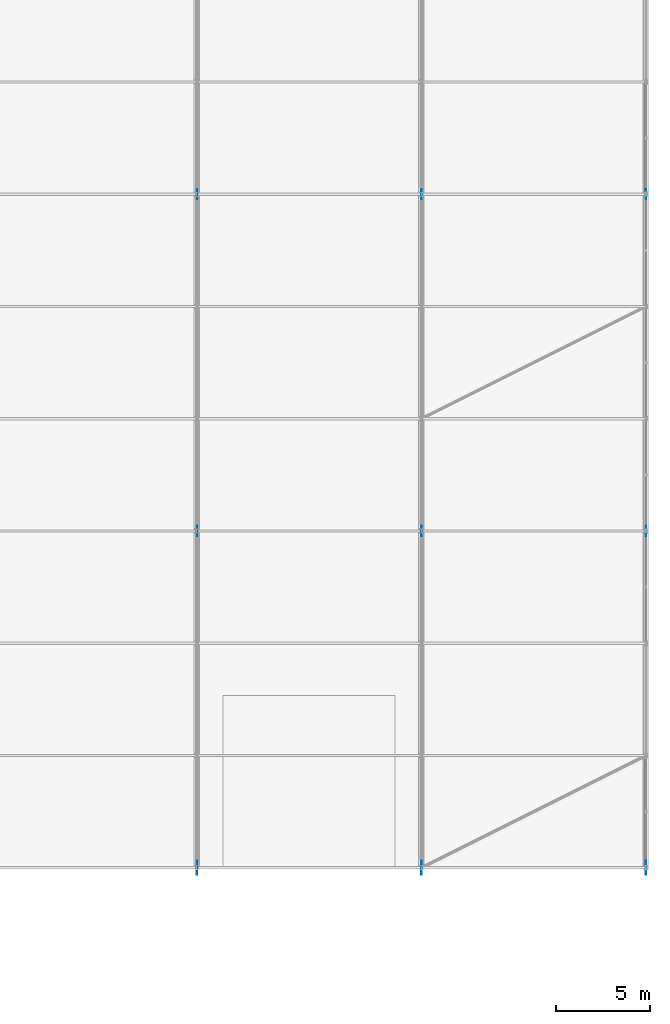
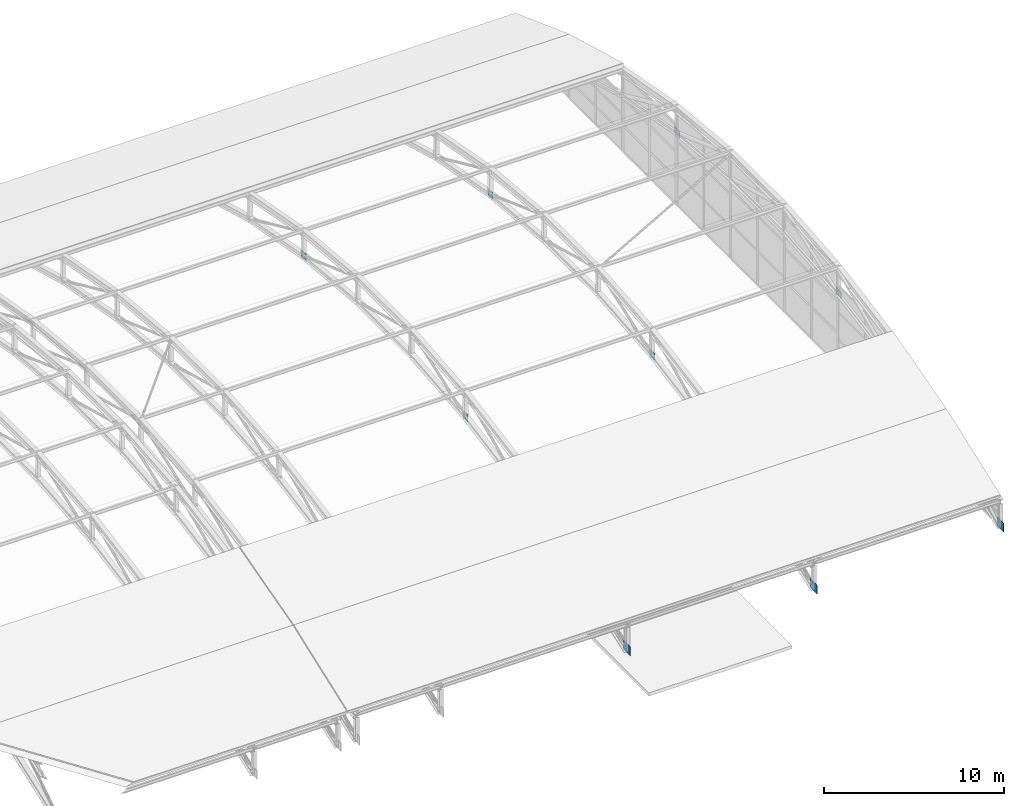
# One storey, part 184 of 204: 9 plates.
"""IFC4 building model written with IfcOpenShell, lengths in metres."""

import ifcopenshell
import ifcopenshell.guid

model = None  # the IFC model being written
_history = None  # IfcOwnerHistory: only IFC2X3 demands one
_inside = {}  # id of a spatial element -> (the spatial element, [elements in it])
_under = {}  # id of a project, library or spatial element -> (it, [spatial elements below it])
_declared = {}  # id of a project -> (the project, [libraries it declares])
_typed = {}  # id of a type object -> (the type object, [elements of that type])
_made_of = {}  # id of a material, layer set ... -> (it, [elements and type objects made of it])


def new_model(schema):
    """Start an empty IFC model of exactly this schema.

    Asked for "IFC4X3", IfcOpenShell would pick the latest addendum, in which some entities
    have other attributes; the version numbers below select the first issue.
    IFC2X3 requires an IfcOwnerHistory on every rooted entity: one is made here for all.
    """
    global model, _history
    if schema == "IFC4X3":
        model = ifcopenshell.file(schema_version=(4, 3, 0, 0))
    else:
        model = ifcopenshell.file(schema=schema)
    _inside.clear()
    _under.clear()
    _declared.clear()
    _typed.clear()
    _made_of.clear()
    _history = None
    if model.schema == "IFC2X3":
        org = make("IfcOrganization", Name="unknown")
        user = make(
            "IfcPersonAndOrganization",
            ThePerson=make("IfcPerson", FamilyName="unknown"),
            TheOrganization=org,
        )
        app = make(
            "IfcApplication",
            ApplicationDeveloper=org,
            Version="unknown",
            ApplicationFullName="unknown",
            ApplicationIdentifier="unknown",
        )
        _history = make(
            "IfcOwnerHistory",
            OwningUser=user,
            OwningApplication=app,
            ChangeAction="ADDED",
            CreationDate=0,
        )
    return model


def make(cls, **values):
    """One entity of the class cls with the attributes given. An attribute that is None is left unset."""
    return model.create_entity(
        cls, **{name: value for name, value in values.items() if value is not None}
    )


def rooted(cls, **values):
    """An entity with a GlobalId (a new one), such as an element, a storey or a relation."""
    return make(cls, GlobalId=ifcopenshell.guid.new(), OwnerHistory=_history, **values)


def si_unit(unit_type, name, prefix=None):
    """IfcSIUnit, for example si_unit("LENGTHUNIT", "METRE", prefix="MILLI")."""
    return make("IfcSIUnit", UnitType=unit_type, Prefix=prefix, Name=name)


def assignment(units):
    """IfcUnitAssignment: the units of a project."""
    return None if units is None else make("IfcUnitAssignment", Units=units)


def point(xyz):
    """IfcCartesianPoint."""
    return None if xyz is None else make("IfcCartesianPoint", Coordinates=xyz)


def direction(xyz):
    """IfcDirection."""
    return None if xyz is None else make("IfcDirection", DirectionRatios=xyz)


def frame(location, z_axis=None, x_axis=None):
    """IfcAxis2Placement3D, a coordinate frame: its origin and axes. An axis left out is left unset."""
    return make(
        "IfcAxis2Placement3D",
        Location=point(location),
        Axis=direction(z_axis),
        RefDirection=direction(x_axis),
    )


def frame_2d(location, x_axis=None):
    """IfcAxis2Placement2D, a coordinate frame in the plane: its origin and x axis."""
    return make(
        "IfcAxis2Placement2D", Location=point(location), RefDirection=direction(x_axis)
    )


def origin():
    """The frame at (0, 0, 0) with its axes left unset."""
    return frame((0.0, 0.0, 0.0))


def origin_2d():
    """The frame at (0, 0) in the plane with its x axis left unset."""
    return frame_2d((0.0, 0.0))


def place(relative_to, where):
    """IfcLocalPlacement: puts the frame where relative to a parent placement (None: the world)."""
    return make(
        "IfcLocalPlacement", PlacementRelTo=relative_to, RelativePlacement=where
    )


def context(
    kind, dimensions, precision=None, world=None, true_north=None, identifier=None
):
    """IfcGeometricRepresentationContext, for example the 3D "Model" context."""
    return make(
        "IfcGeometricRepresentationContext",
        ContextIdentifier=identifier,
        ContextType=kind,
        CoordinateSpaceDimension=dimensions,
        Precision=precision,
        WorldCoordinateSystem=world,
        TrueNorth=true_north,
    )


def subcontext(parent, identifier, kind, view, scale=None):
    """IfcGeometricRepresentationSubContext, for example "Body" below "Model"."""
    return make(
        "IfcGeometricRepresentationSubContext",
        ContextIdentifier=identifier,
        ContextType=kind,
        ParentContext=parent,
        TargetScale=scale,
        TargetView=view,
    )


def project(units=None, contexts=None):
    """IfcProject with its units and contexts."""
    return rooted(
        "IfcProject",
        Name="project",
        RepresentationContexts=contexts,
        UnitsInContext=assignment(units),
    )


def spatial(cls, under=None, at=None, **own):
    """A site, building, storey or space (cls), placed at a placement, below another one or the project."""
    s = rooted(cls, ObjectPlacement=at, **own)
    if under is not None:
        _under.setdefault(under.id(), (under, []))[1].append(s)
    return s


def profile(cls, at=None, kind="AREA", **sizes):
    """A parametric profile (cls). Its sizes go by their IFC names, for example OverallWidth=200.0."""
    return make(cls, ProfileType=kind, Position=at, **sizes)


def rectangle(**sizes):
    """IfcRectangleProfileDef."""
    return profile("IfcRectangleProfileDef", **sizes)


def extrude(swept, where, along, depth):
    """IfcExtrudedAreaSolid: the profile swept, set in the frame where, extruded along a direction by depth."""
    return make(
        "IfcExtrudedAreaSolid",
        SweptArea=swept,
        Position=where,
        ExtrudedDirection=direction(along),
        Depth=depth,
    )


def shape(context_of_items, identifier, shape_type, items):
    """IfcShapeRepresentation: the items that make up one representation, for example the "Body"."""
    return make(
        "IfcShapeRepresentation",
        ContextOfItems=context_of_items,
        RepresentationIdentifier=identifier,
        RepresentationType=shape_type,
        Items=items,
    )


def material(Name=None, Category=None):
    """IfcMaterial."""
    return make("IfcMaterial", Name=Name, Category=Category)


def layer(
    of_material, thickness, ventilated=None, Name=None, Category=None, Priority=None
):
    """IfcMaterialLayer: one layer of a wall or slab, of a material (None: an air gap)."""
    return make(
        "IfcMaterialLayer",
        Material=of_material,
        LayerThickness=thickness,
        IsVentilated=ventilated,
        Name=Name,
        Category=Category,
        Priority=Priority,
    )


def layer_set(layers, Name=None):
    """IfcMaterialLayerSet."""
    return make("IfcMaterialLayerSet", MaterialLayers=layers, LayerSetName=Name)


def made_of(thing, what):
    """Note that an element or type object is made of a material, layer set ...; save() writes the relation."""
    if what is not None:
        _made_of.setdefault(what.id(), (what, []))[1].append(thing)
    return thing


def type_object(cls, material=None, **own):
    """A type object (cls), such as IfcWallType, which elements share."""
    return made_of(rooted(cls, **own), material)


def element(
    cls,
    number,
    at=None,
    inside=None,
    cuts=None,
    type_object=None,
    material=None,
    context=None,
    identifier="Body",
    shape_type=None,
    held_by="IfcProductDefinitionShape",
    body=None,
    shapes=None,
    **own,
):
    """One element of the class cls, such as IfcWall. Its Tag is "e" and its number.

    at: its placement. inside: the storey or other place that contains it. cuts: it is an
    opening in that element (IfcRelVoidsElement). A single representation is given by context,
    identifier, shape_type and body (its items); several are given by shapes. held_by: the class
    of the entity that holds the representations. save() writes the other relations.
    """
    e = rooted(cls, Tag="e%d" % number, ObjectPlacement=at, **own)
    if body is not None:
        shapes = [shape(context, identifier, shape_type, body)]
    if shapes is not None:
        e.Representation = make(held_by, Representations=shapes)
    if inside is not None:
        _inside.setdefault(inside.id(), (inside, []))[1].append(e)
    if cuts is not None:
        rooted(
            "IfcRelVoidsElement", RelatingBuildingElement=cuts, RelatedOpeningElement=e
        )
    if type_object is not None:
        _typed.setdefault(type_object.id(), (type_object, []))[1].append(e)
    return made_of(e, material)


def aggregate(whole, parts):
    """IfcRelAggregates: a whole, such as a stair, and the parts it consists of."""
    return rooted("IfcRelAggregates", RelatingObject=whole, RelatedObjects=parts)


def save(model, path):
    """Write the relations noted so far, then the file.

    IfcRelAggregates (storeys below a building ...), IfcRelContainedInSpatialStructure (elements
    in a storey), IfcRelDefinesByType, IfcRelAssociatesMaterial and IfcRelDeclares: one each for
    every whole, place, type object, material and project.
    """
    for whole, parts in _under.values():
        aggregate(whole, parts)
    for where, things in _inside.values():
        rooted(
            "IfcRelContainedInSpatialStructure",
            RelatedElements=things,
            RelatingStructure=where,
        )
    for kind, things in _typed.values():
        rooted("IfcRelDefinesByType", RelatedObjects=things, RelatingType=kind)
    for what, things in _made_of.values():
        rooted("IfcRelAssociatesMaterial", RelatedObjects=things, RelatingMaterial=what)
    for by, libraries in _declared.values():
        rooted("IfcRelDeclares", RelatingContext=by, RelatedDefinitions=libraries)
    model.write(path)


model = new_model("IFC4")

# Units and contexts
model_context = context("Model", 3, precision=1e-05, world=origin(), true_north=direction((0.0, 1.0)))
body_context = subcontext(model_context, "Body", "Model", "MODEL_VIEW")
ifc_project = project(units=[si_unit("LENGTHUNIT", "METRE"), si_unit("AREAUNIT", "SQUARE_METRE"), si_unit("VOLUMEUNIT", "CUBIC_METRE"), si_unit("PLANEANGLEUNIT", "RADIAN"), si_unit("MASSUNIT", "GRAM", prefix="KILO")], contexts=[model_context])

# Site, building, storey
site_placement = place(None, origin())
site = spatial("IfcSite", under=ifc_project, at=site_placement, CompositionType="ELEMENT")
building_placement = place(site_placement, origin())
building = spatial("IfcBuilding", under=site, at=building_placement, Name="Zilviju Railside Exhibition Hall", CompositionType="ELEMENT")
storey_placement = place(building_placement, frame((0.0, 0.0, 21.0)))
storey = spatial("IfcBuildingStorey", under=building, at=storey_placement, Name="RF", CompositionType="ELEMENT", Elevation=21.0)

# Plates
ifc_material = material(Name="Steel S355ML", Category="steel")
ifc_layer_1 = layer(ifc_material, 0.02392578125)
ifc_layer_set_1 = layer_set([ifc_layer_1], Name="Steel S355ML")
plate_type_1 = type_object("IfcPlateType", Name="PLATE-GP-24", PredefinedType="SHEET", material=ifc_layer_set_1)
for number, where, z_axis, x_axis, name in (
    (1, (192.0, 18.0, -3.072265625), (0.0, 0.0, 1.0), (1.0, 0.0, 0.0), "V1 Truss Node Gusset Plate X=192.0 N3"),
    (2, (204.0, 18.0, -3.072265625), (0.0, 0.0, 1.0), (1.0, 0.0, 0.0), "V1 Truss Node Gusset Plate X=204.0 N3"),
    (3, (216.0, 18.0, -3.072265625), (0.0, 0.0, 1.0), (1.0, 0.0, 0.0), "V1 Truss Node Gusset Plate X=216.0 N3"),
):
    element("IfcPlate", number, at=place(storey_placement, frame(where, z_axis=z_axis, x_axis=x_axis)), inside=storey, type_object=plate_type_1, Name=name, PredefinedType="SHEET", context=body_context, shape_type="SweptSolid", body=[
        extrude(rectangle(XDim=0.02392578125, YDim=0.550048828125, at=origin_2d()), origin(), (0.0, 0.0, 1.0), 0.5),
    ])
ifc_layer_2 = layer(ifc_material, 0.028076171875)
ifc_layer_set_2 = layer_set([ifc_layer_2], Name="Steel S355ML")
plate_type_2 = type_object("IfcPlateType", Name="PLATE-GP-28", PredefinedType="SHEET", material=ifc_layer_set_2)
for number, where, z_axis, x_axis, name in (
    (4, (192.0, 36.0, -3.072265625), (0.0, 0.0, 1.0), (1.0, 0.0, 0.0), "V1 Truss Node Gusset Plate X=192.0 N6"),
    (5, (204.0, 36.0, -3.072265625), (0.0, 0.0, 1.0), (1.0, 0.0, 0.0), "V1 Truss Node Gusset Plate X=204.0 N6"),
    (6, (216.0, 36.0, -3.072265625), (0.0, 0.0, 1.0), (1.0, 0.0, 0.0), "V1 Truss Node Gusset Plate X=216.0 N6"),
):
    element("IfcPlate", number, at=place(storey_placement, frame(where, z_axis=z_axis, x_axis=x_axis)), inside=storey, type_object=plate_type_2, Name=name, PredefinedType="SHEET", context=body_context, shape_type="SweptSolid", body=[
        extrude(rectangle(XDim=0.028076171875, YDim=0.550048828125, at=origin_2d()), origin(), (0.0, 0.0, 1.0), 0.5),
    ])
ifc_layer_3 = layer(ifc_material, 0.031982421875)
ifc_layer_set_3 = layer_set([ifc_layer_3], Name="Steel S355ML")
plate_type_3 = type_object("IfcPlateType", Name="PLATE-GP-32", PredefinedType="SHEET", material=ifc_layer_set_3)
for number, where, z_axis, x_axis, name in (
    (7, (192.0, 0.0, -7.949951171875), (0.0, 0.0, 1.0), (1.0, 0.0, 0.0), "V1 Arch Pin-Shoe Gusset Plate X=192.0"),
    (8, (204.0, 0.0, -7.949951171875), (0.0, 0.0, 1.0), (1.0, 0.0, 0.0), "V1 Arch Pin-Shoe Gusset Plate X=204.0"),
    (9, (216.0, 0.0, -7.949951171875), (0.0, 0.0, 1.0), (1.0, 0.0, 0.0), "V1 Arch Pin-Shoe Gusset Plate X=216.0"),
):
    element("IfcPlate", number, at=place(storey_placement, frame(where, z_axis=z_axis, x_axis=x_axis)), inside=storey, type_object=plate_type_3, Name=name, PredefinedType="SHEET", context=body_context, shape_type="SweptSolid", body=[
        extrude(rectangle(XDim=0.031982421875, YDim=0.75, at=origin_2d()), origin(), (0.0, 0.0, 1.0), 0.60009765625),
    ])

save(model, "model.ifc")
